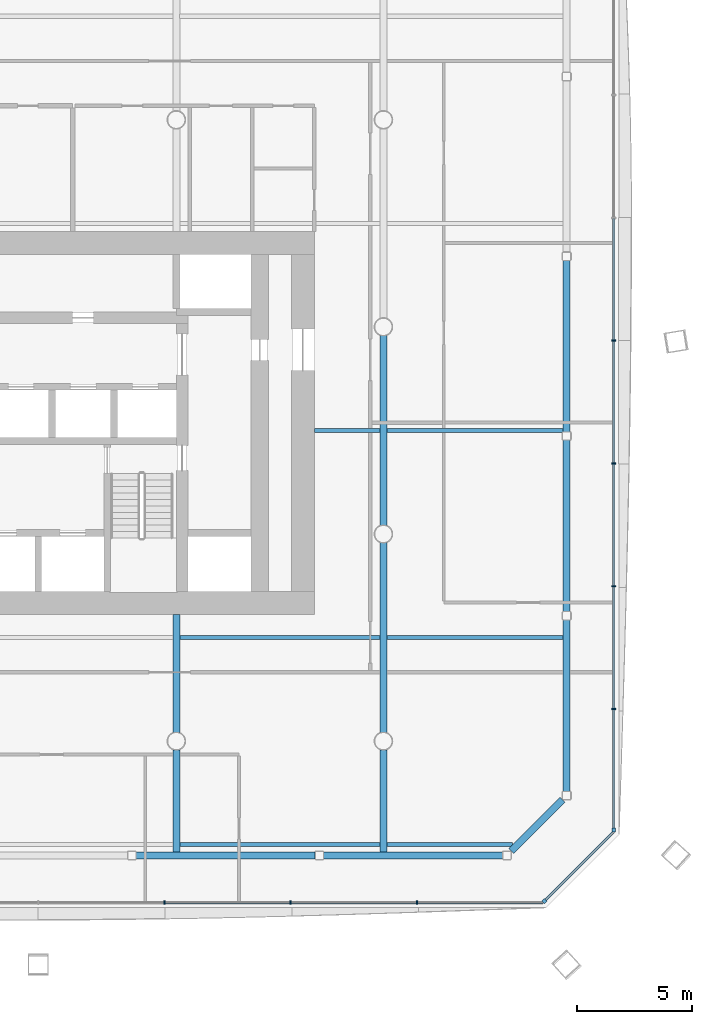
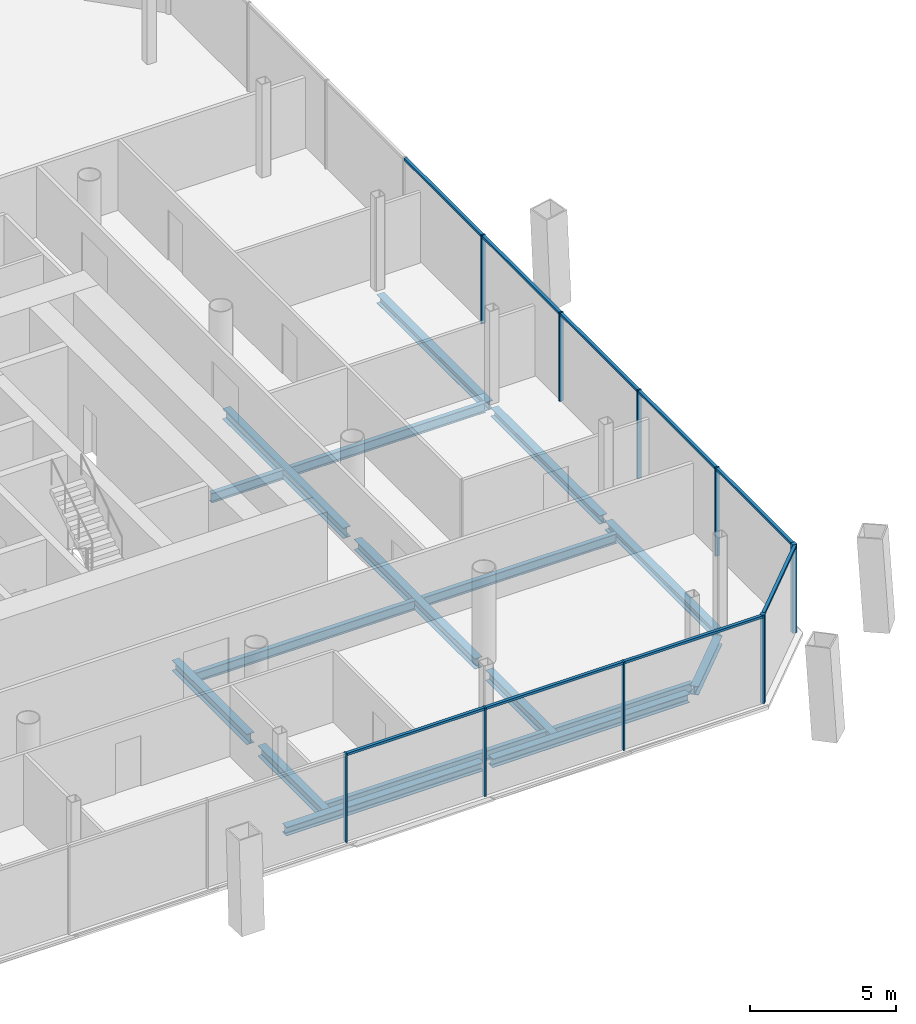
# One storey, part 5 of 19: 18 members, 17 beams, 3 elements without a shape of their own.
"""IFC4 building model written with IfcOpenShell, lengths in metres."""

from ifc_helpers import new_model, si_unit, direction, frame, origin, origin_2d, place, context, subcontext, project, spatial, rectangle, i_section, extrude, material, material_profile, profile_set, type_object, element, aggregate, save


model = new_model("IFC4")

# Units and contexts
model_context = context("Model", 3, precision=1e-05, world=origin(), true_north=direction((0.0, 1.0)))
body_context = subcontext(model_context, "Body", "Model", "MODEL_VIEW")
ifc_project = project(units=[si_unit("LENGTHUNIT", "METRE"), si_unit("AREAUNIT", "SQUARE_METRE"), si_unit("VOLUMEUNIT", "CUBIC_METRE"), si_unit("PLANEANGLEUNIT", "RADIAN"), si_unit("MASSUNIT", "GRAM", prefix="KILO")], contexts=[model_context])

# Site, building, storey
site_placement = place(None, origin())
site = spatial("IfcSite", under=ifc_project, at=site_placement, CompositionType="ELEMENT")
building_placement = place(site_placement, origin())
building = spatial("IfcBuilding", under=site, at=building_placement, Name="Tskaro Facet Tower", CompositionType="ELEMENT")
storey_placement = place(building_placement, frame((0.0, 0.0, 81.60009765625)))
storey = spatial("IfcBuildingStorey", under=building, at=storey_placement, Name="L19", CompositionType="ELEMENT", Elevation=81.60009765625)

# Curtain wall, member
ifc_material_1 = material(Name="Bronze anodised aluminium 6063-T6", Category="aluminium")
curtain_wall_type = type_object("IfcCurtainWallType", Name="Bronze office curtain wall (FW1)", PredefinedType="NOTDEFINED", material=ifc_material_1)
curtain_wall_1_placement = place(storey_placement, origin())
curtain_wall_1 = element("IfcCurtainWall", 1, at=curtain_wall_1_placement, inside=storey, type_object=curtain_wall_type, Name="FW1 south-east facet L19", PredefinedType="NOTDEFINED")
ifc_material_profile_1 = material_profile(ifc_material_1, rectangle(XDim=0.159912109375, YDim=0.159912109375, at=origin_2d()), Name="Corner post 160x160")
ifc_profile_set_1 = profile_set([ifc_material_profile_1], Name="Bronze anodised aluminium 6063-T6")
member_type_1 = type_object("IfcMemberType", Name="FW1 bronze corner post 160x160", PredefinedType="MULLION", material=ifc_profile_set_1)
member_1_placement = place(storey_placement, frame((24.99560546875, -24.954345703125, 0.0), z_axis=(0.0, 0.0, 1.0), x_axis=(0.707106781187, 0.707106781187, 0.0)))
member_1 = element("IfcMember", 2, at=member_1_placement, type_object=member_type_1, Name="FW1 south-east corner post", PredefinedType="MULLION", context=body_context, shape_type="SweptSolid", body=[
    extrude(rectangle(XDim=0.159912109375, YDim=0.159912109375, at=origin_2d()), origin(), (0.0, 0.0, 1.0), 3.699951171875),
])

curtain_wall_2_placement = place(storey_placement, origin())
curtain_wall_2 = element("IfcCurtainWall", 3, at=curtain_wall_2_placement, inside=storey, type_object=curtain_wall_type, Name="FW1 east facet L19", PredefinedType="NOTDEFINED")
member_2_placement = place(storey_placement, frame((28.010986328125, -21.85888671875, 0.0), z_axis=(0.0, 0.0, 1.0), x_axis=(0.0, 1.0, 0.0)))
member_2 = element("IfcMember", 4, at=member_2_placement, type_object=member_type_1, Name="FW1 east corner post", PredefinedType="MULLION", context=body_context, shape_type="SweptSolid", body=[
    extrude(rectangle(XDim=0.159912109375, YDim=0.159912109375, at=origin_2d()), origin(), (0.0, 0.0, 1.0), 3.699951171875),
])

# Curtain wall, members
curtain_wall_3_placement = place(storey_placement, origin())
curtain_wall_3 = element("IfcCurtainWall", 5, at=curtain_wall_3_placement, inside=storey, type_object=curtain_wall_type, Name="FW1 south facet L19", PredefinedType="NOTDEFINED")
ifc_material_profile_2 = material_profile(ifc_material_1, rectangle(XDim=0.06005859375, YDim=0.159912109375, at=origin_2d()), Name="Mullion 60x160")
ifc_profile_set_2 = profile_set([ifc_material_profile_2], Name="Bronze anodised aluminium 6063-T6")
member_type_2 = type_object("IfcMemberType", Name="FW1 bronze mullion 60x160", PredefinedType="MULLION", material=ifc_profile_set_2)
member_3_placement = place(storey_placement, frame((8.48486328125, -25.010986328125, 0.0), z_axis=(0.0, 0.0, 1.0), x_axis=(1.0, 0.0, 0.0)))
member_3 = element("IfcMember", 6, at=member_3_placement, type_object=member_type_2, Name="FW1 south mullion 5", PredefinedType="MULLION", context=body_context, shape_type="SweptSolid", body=[
    extrude(rectangle(XDim=0.06005859375, YDim=0.159912109375, at=origin_2d()), origin(), (0.0, 0.0, 1.0), 3.699951171875),
])
member_4_placement = place(storey_placement, frame((13.969482421875, -25.010986328125, 0.0), z_axis=(0.0, 0.0, 1.0), x_axis=(1.0, 0.0, 0.0)))
member_4 = element("IfcMember", 7, at=member_4_placement, type_object=member_type_2, Name="FW1 south mullion 6", PredefinedType="MULLION", context=body_context, shape_type="SweptSolid", body=[
    extrude(rectangle(XDim=0.06005859375, YDim=0.159912109375, at=origin_2d()), origin(), (0.0, 0.0, 1.0), 3.699951171875),
])
member_5_placement = place(storey_placement, frame((19.454345703125, -25.010986328125, 0.0), z_axis=(0.0, 0.0, 1.0), x_axis=(1.0, 0.0, 0.0)))
member_5 = element("IfcMember", 8, at=member_5_placement, type_object=member_type_2, Name="FW1 south mullion 7", PredefinedType="MULLION", context=body_context, shape_type="SweptSolid", body=[
    extrude(rectangle(XDim=0.06005859375, YDim=0.159912109375, at=origin_2d()), origin(), (0.0, 0.0, 1.0), 3.699951171875),
])

# Member
member_6_placement = place(storey_placement, frame((28.010986328125, -16.603515625, 0.0), z_axis=(0.0, 0.0, 1.0), x_axis=(0.0, 1.0, 0.0)))
member_6 = element("IfcMember", 9, at=member_6_placement, type_object=member_type_2, Name="FW1 east mullion 1", PredefinedType="MULLION", context=body_context, shape_type="SweptSolid", body=[
    extrude(rectangle(XDim=0.06005859375, YDim=0.159912109375, at=origin_2d()), origin(), (0.0, 0.0, 1.0), 3.699951171875),
])

member_7_placement = place(storey_placement, frame((28.010986328125, -11.268310546875, 0.0), z_axis=(0.0, 0.0, 1.0), x_axis=(0.0, 1.0, 0.0)))
member_7 = element("IfcMember", 10, at=member_7_placement, type_object=member_type_2, Name="FW1 east mullion 2", PredefinedType="MULLION", context=body_context, shape_type="SweptSolid", body=[
    extrude(rectangle(XDim=0.06005859375, YDim=0.159912109375, at=origin_2d()), origin(), (0.0, 0.0, 1.0), 3.699951171875),
])

member_8_placement = place(storey_placement, frame((28.010986328125, -5.932861328125, 0.0), z_axis=(0.0, 0.0, 1.0), x_axis=(0.0, 1.0, 0.0)))
member_8 = element("IfcMember", 11, at=member_8_placement, type_object=member_type_2, Name="FW1 east mullion 3", PredefinedType="MULLION", context=body_context, shape_type="SweptSolid", body=[
    extrude(rectangle(XDim=0.06005859375, YDim=0.159912109375, at=origin_2d()), origin(), (0.0, 0.0, 1.0), 3.699951171875),
])

member_9_placement = place(storey_placement, frame((28.010986328125, -0.597412109375, 0.0), z_axis=(0.0, 0.0, 1.0), x_axis=(0.0, 1.0, 0.0)))
member_9 = element("IfcMember", 12, at=member_9_placement, type_object=member_type_2, Name="FW1 east mullion 4", PredefinedType="MULLION", context=body_context, shape_type="SweptSolid", body=[
    extrude(rectangle(XDim=0.06005859375, YDim=0.159912109375, at=origin_2d()), origin(), (0.0, 0.0, 1.0), 3.699951171875),
])

ifc_material_profile_3 = material_profile(ifc_material_1, rectangle(XDim=0.1201171875, YDim=0.10009765625, at=origin_2d()), Name="Transom 120x100")
ifc_profile_set_3 = profile_set([ifc_material_profile_3], Name="Bronze anodised aluminium 6063-T6")
member_type_3 = type_object("IfcMemberType", Name="FW1 bronze transom 120x100", PredefinedType="USERDEFINED", material=ifc_profile_set_3)
member_10_placement = place(storey_placement, frame((8.5146484375, -25.010986328125, 3.64990234375), z_axis=(1.0, 0.0, 0.0), x_axis=(0.0, 1.0, 0.0)))
member_10 = element("IfcMember", 13, at=member_10_placement, type_object=member_type_3, Name="FW1 south transom 6.1", ObjectType="TRANSOM", PredefinedType="USERDEFINED", context=body_context, shape_type="SweptSolid", body=[
    extrude(rectangle(XDim=0.1201171875, YDim=0.10009765625, at=origin_2d()), origin(), (0.0, 0.0, 1.0), 5.4248046875),
])

member_11_placement = place(storey_placement, frame((13.99951171875, -25.010986328125, 3.64990234375), z_axis=(1.0, 0.0, 0.0), x_axis=(0.0, 1.0, 0.0)))
member_11 = element("IfcMember", 14, at=member_11_placement, type_object=member_type_3, Name="FW1 south transom 7.1", ObjectType="TRANSOM", PredefinedType="USERDEFINED", context=body_context, shape_type="SweptSolid", body=[
    extrude(rectangle(XDim=0.1201171875, YDim=0.10009765625, at=origin_2d()), origin(), (0.0, 0.0, 1.0), 5.4248046875),
])

member_12_placement = place(storey_placement, frame((19.484130859375, -25.010986328125, 3.64990234375), z_axis=(1.0, 0.0, 0.0), x_axis=(0.0, 1.0, 0.0)))
member_12 = element("IfcMember", 15, at=member_12_placement, type_object=member_type_3, Name="FW1 south transom 8.1", ObjectType="TRANSOM", PredefinedType="USERDEFINED", context=body_context, shape_type="SweptSolid", body=[
    extrude(rectangle(XDim=0.1201171875, YDim=0.10009765625, at=origin_2d()), origin(), (0.0, 0.0, 1.0), 5.454833984375),
])

aggregate(curtain_wall_3, [member_3, member_4, member_5, member_10, member_11, member_12])

member_13_placement = place(storey_placement, frame((25.05224609375, -24.89794921875, 3.64990234375), z_axis=(0.70707760831, 0.70713595286, 0.0), x_axis=(-0.70713595286, 0.70707760831, 0.0)))
member_13 = element("IfcMember", 16, at=member_13_placement, type_object=member_type_3, Name="FW1 south-east transom 1.1", ObjectType="TRANSOM", PredefinedType="USERDEFINED", context=body_context, shape_type="SweptSolid", body=[
    extrude(rectangle(XDim=0.1201171875, YDim=0.10009765625, at=origin_2d()), origin(), (0.0, 0.0, 1.0), 4.1845703125),
])

aggregate(curtain_wall_1, [member_1, member_13])

member_14_placement = place(storey_placement, frame((28.010986328125, -21.779052734375, 3.64990234375), z_axis=(0.0, 1.0, 0.0), x_axis=(-1.0, 0.0, 0.0)))
member_14 = element("IfcMember", 17, at=member_14_placement, type_object=member_type_3, Name="FW1 east transom 1.1", ObjectType="TRANSOM", PredefinedType="USERDEFINED", context=body_context, shape_type="SweptSolid", body=[
    extrude(rectangle(XDim=0.1201171875, YDim=0.10009765625, at=origin_2d()), origin(), (0.0, 0.0, 1.0), 5.1455078125),
])

member_15_placement = place(storey_placement, frame((28.010986328125, -16.57373046875, 3.64990234375), z_axis=(0.0, 1.0, 0.0), x_axis=(-1.0, 0.0, 0.0)))
member_15 = element("IfcMember", 18, at=member_15_placement, type_object=member_type_3, Name="FW1 east transom 2.1", ObjectType="TRANSOM", PredefinedType="USERDEFINED", context=body_context, shape_type="SweptSolid", body=[
    extrude(rectangle(XDim=0.1201171875, YDim=0.10009765625, at=origin_2d()), origin(), (0.0, 0.0, 1.0), 5.275390625),
])

member_16_placement = place(storey_placement, frame((28.010986328125, -11.23828125, 3.64990234375), z_axis=(0.0, 1.0, 0.0), x_axis=(-1.0, 0.0, 0.0)))
member_16 = element("IfcMember", 19, at=member_16_placement, type_object=member_type_3, Name="FW1 east transom 3.1", ObjectType="TRANSOM", PredefinedType="USERDEFINED", context=body_context, shape_type="SweptSolid", body=[
    extrude(rectangle(XDim=0.1201171875, YDim=0.10009765625, at=origin_2d()), origin(), (0.0, 0.0, 1.0), 5.275390625),
])

member_17_placement = place(storey_placement, frame((28.010986328125, -5.90283203125, 3.64990234375), z_axis=(0.0, 1.0, 0.0), x_axis=(-1.0, 0.0, 0.0)))
member_17 = element("IfcMember", 20, at=member_17_placement, type_object=member_type_3, Name="FW1 east transom 4.1", ObjectType="TRANSOM", PredefinedType="USERDEFINED", context=body_context, shape_type="SweptSolid", body=[
    extrude(rectangle(XDim=0.1201171875, YDim=0.10009765625, at=origin_2d()), origin(), (0.0, 0.0, 1.0), 5.275390625),
])

member_18_placement = place(storey_placement, frame((28.010986328125, -0.5673828125, 3.64990234375), z_axis=(0.0, 1.0, 0.0), x_axis=(-1.0, 0.0, 0.0)))
member_18 = element("IfcMember", 21, at=member_18_placement, type_object=member_type_3, Name="FW1 east transom 5.1", ObjectType="TRANSOM", PredefinedType="USERDEFINED", context=body_context, shape_type="SweptSolid", body=[
    extrude(rectangle(XDim=0.1201171875, YDim=0.10009765625, at=origin_2d()), origin(), (0.0, 0.0, 1.0), 5.275146484375),
])

aggregate(curtain_wall_2, [member_2, member_6, member_7, member_8, member_9, member_14, member_15, member_16, member_17, member_18])

# Beams
ifc_material_2 = material(Name="Steel S355J2", Category="steel")
ifc_material_profile_4 = material_profile(ifc_material_2, i_section(OverallWidth=0.300048828125, OverallDepth=0.360107421875, WebThickness=0.012451171875, FlangeThickness=0.0224609375, FilletRadius=0.027099609375, at=origin_2d()), Name="HE 360 B")
ifc_profile_set_4 = profile_set([ifc_material_profile_4], Name="Steel S355J2")
beam_type_1 = type_object("IfcBeamType", Name="HE 360 B ring beam", PredefinedType="BEAM", material=ifc_profile_set_4)
beam_1_placement = place(storey_placement, frame((7.2529296875, -22.965087890625, -0.320068359375), z_axis=(1.0, 0.0, 0.0), x_axis=(0.0, 1.0, 0.0)))
element("IfcBeam", 22, at=beam_1_placement, inside=storey, type_object=beam_type_1, Name="HE 360 B EB4-2", PredefinedType="BEAM", context=body_context, shape_type="SweptSolid", body=[
    extrude(i_section(OverallWidth=0.300048828125, OverallDepth=0.360107421875, WebThickness=0.012451171875, FlangeThickness=0.0224609375, FilletRadius=0.027099609375, at=origin_2d()), origin(), (0.0, 0.0, 1.0), 7.78515625),
])
beam_2_placement = place(storey_placement, frame((15.39794921875, -22.965087890625, -0.320068359375), z_axis=(1.0, 0.0, 0.0), x_axis=(0.0, 1.0, 0.0)))
element("IfcBeam", 23, at=beam_2_placement, inside=storey, type_object=beam_type_1, Name="HE 360 B EB5-2", PredefinedType="BEAM", context=body_context, shape_type="SweptSolid", body=[
    extrude(i_section(OverallWidth=0.300048828125, OverallDepth=0.360107421875, WebThickness=0.012451171875, FlangeThickness=0.0224609375, FilletRadius=0.027099609375, at=origin_2d()), origin(), (0.0, 0.0, 1.0), 7.7861328125),
])
beam_3_placement = place(storey_placement, frame((23.5498046875, -22.779052734375, -0.320068359375), z_axis=(0.707106781187, 0.707106781187, 0.0), x_axis=(-0.707106781187, 0.707106781187, 0.0)))
element("IfcBeam", 24, at=beam_3_placement, inside=storey, type_object=beam_type_1, Name="HE 360 B EB6-2", PredefinedType="BEAM", context=body_context, shape_type="SweptSolid", body=[
    extrude(i_section(OverallWidth=0.300048828125, OverallDepth=0.360107421875, WebThickness=0.012451171875, FlangeThickness=0.0224609375, FilletRadius=0.027099609375, at=origin_2d()), origin(), (0.0, 0.0, 1.0), 3.152587890625),
])
beam_4_placement = place(storey_placement, frame((25.965087890625, -20.18408203125, -0.320068359375), z_axis=(0.0, 1.0, 0.0), x_axis=(-1.0, 0.0, 0.0)))
element("IfcBeam", 25, at=beam_4_placement, inside=storey, type_object=beam_type_1, Name="HE 360 B EB7-2", PredefinedType="BEAM", context=body_context, shape_type="SweptSolid", body=[
    extrude(i_section(OverallWidth=0.300048828125, OverallDepth=0.360107421875, WebThickness=0.012451171875, FlangeThickness=0.0224609375, FilletRadius=0.027099609375, at=origin_2d()), origin(), (0.0, 0.0, 1.0), 7.451171875),
])
beam_5_placement = place(storey_placement, frame((25.965087890625, -12.373046875, -0.320068359375), z_axis=(0.0, 1.0, 0.0), x_axis=(-1.0, 0.0, 0.0)))
element("IfcBeam", 26, at=beam_5_placement, inside=storey, type_object=beam_type_1, Name="HE 360 B EB8-2", PredefinedType="BEAM", context=body_context, shape_type="SweptSolid", body=[
    extrude(i_section(OverallWidth=0.300048828125, OverallDepth=0.360107421875, WebThickness=0.012451171875, FlangeThickness=0.0224609375, FilletRadius=0.027099609375, at=origin_2d()), origin(), (0.0, 0.0, 1.0), 7.450927734375),
])
beam_6_placement = place(storey_placement, frame((25.965087890625, -4.56201171875, -0.320068359375), z_axis=(0.0, 1.0, 0.0), x_axis=(-1.0, 0.0, 0.0)))
element("IfcBeam", 27, at=beam_6_placement, inside=storey, type_object=beam_type_1, Name="HE 360 B EB9-2", PredefinedType="BEAM", context=body_context, shape_type="SweptSolid", body=[
    extrude(i_section(OverallWidth=0.300048828125, OverallDepth=0.360107421875, WebThickness=0.012451171875, FlangeThickness=0.0224609375, FilletRadius=0.027099609375, at=origin_2d()), origin(), (0.0, 0.0, 1.0), 7.449951171875),
])
ifc_material_profile_5 = material_profile(ifc_material_2, i_section(OverallWidth=0.300048828125, OverallDepth=0.43994140625, WebThickness=0.011474609375, FlangeThickness=0.02099609375, FilletRadius=0.027099609375, at=origin_2d()), Name="HE 450 A")
ifc_profile_set_5 = profile_set([ifc_material_profile_5], Name="Steel S355J2")
beam_type_2 = type_object("IfcBeamType", Name="HE 450 A girder", PredefinedType="BEAM", material=ifc_profile_set_5)
beam_7_placement = place(storey_placement, frame((9.0, -22.81494140625, -0.360107421875), z_axis=(0.0, 1.0, 0.0), x_axis=(-1.0, 0.0, 0.0)))
element("IfcBeam", 28, at=beam_7_placement, inside=storey, type_object=beam_type_2, Name="HE 450 A GB5-1-2", PredefinedType="BEAM", context=body_context, shape_type="SweptSolid", body=[
    extrude(i_section(OverallWidth=0.300048828125, OverallDepth=0.43994140625, WebThickness=0.011474609375, FlangeThickness=0.02099609375, FilletRadius=0.027099609375, at=origin_2d()), origin(), (0.0, 0.0, 1.0), 4.4384765625),
])
beam_8_placement = place(storey_placement, frame((9.0, -17.62353515625, -0.360107421875), z_axis=(0.0, 1.0, 0.0), x_axis=(-1.0, 0.0, 0.0)))
element("IfcBeam", 29, at=beam_8_placement, inside=storey, type_object=beam_type_2, Name="HE 450 A GB5-2-2", PredefinedType="BEAM", context=body_context, shape_type="SweptSolid", body=[
    extrude(i_section(OverallWidth=0.300048828125, OverallDepth=0.43994140625, WebThickness=0.011474609375, FlangeThickness=0.02099609375, FilletRadius=0.027099609375, at=origin_2d()), origin(), (0.0, 0.0, 1.0), 5.12353515625),
])
beam_9_placement = place(storey_placement, frame((18.0, -22.81494140625, -0.360107421875), z_axis=(0.0, 1.0, 0.0), x_axis=(-1.0, 0.0, 0.0)))
element("IfcBeam", 30, at=beam_9_placement, inside=storey, type_object=beam_type_2, Name="HE 450 A GB6-1-2", PredefinedType="BEAM", context=body_context, shape_type="SweptSolid", body=[
    extrude(i_section(OverallWidth=0.300048828125, OverallDepth=0.43994140625, WebThickness=0.011474609375, FlangeThickness=0.02099609375, FilletRadius=0.027099609375, at=origin_2d()), origin(), (0.0, 0.0, 1.0), 4.4384765625),
])
for number, where, z_axis, x_axis, name in (
    (31, (18.0, -17.62353515625, -0.360107421875), (0.0, 1.0, 0.0), (-1.0, 0.0, 0.0), "HE 450 A GB6-2-2"),
    (32, (18.0, -8.62353515625, -0.360107421875), (0.0, 1.0, 0.0), (-1.0, 0.0, 0.0), "HE 450 A GB6-3-2"),
):
    element("IfcBeam", number, at=place(storey_placement, frame(where, z_axis=z_axis, x_axis=x_axis)), inside=storey, type_object=beam_type_2, Name=name, PredefinedType="BEAM", context=body_context, shape_type="SweptSolid", body=[
        extrude(i_section(OverallWidth=0.300048828125, OverallDepth=0.43994140625, WebThickness=0.011474609375, FlangeThickness=0.02099609375, FilletRadius=0.027099609375, at=origin_2d()), origin(), (0.0, 0.0, 1.0), 8.2470703125),
    ])
ifc_material_profile_6 = material_profile(ifc_material_2, i_section(OverallWidth=0.179931640625, OverallDepth=0.39990234375, WebThickness=0.008544921875, FlangeThickness=0.013427734375, FilletRadius=0.02099609375, at=origin_2d()), Name="IPE 400")
ifc_profile_set_6 = profile_set([ifc_material_profile_6], Name="Steel S355J2")
beam_type_3 = type_object("IfcBeamType", Name="IPE 400 secondary beam", PredefinedType="BEAM", material=ifc_profile_set_6)
beam_10_placement = place(storey_placement, frame((9.14990234375, -22.5, -0.340087890625), z_axis=(1.0, 0.0, 0.0), x_axis=(0.0, 1.0, 0.0)))
element("IfcBeam", 33, at=beam_10_placement, inside=storey, type_object=beam_type_3, Name="IPE 400 SB1a-4-2", PredefinedType="BEAM", context=body_context, shape_type="SweptSolid", body=[
    extrude(i_section(OverallWidth=0.179931640625, OverallDepth=0.39990234375, WebThickness=0.008544921875, FlangeThickness=0.013427734375, FilletRadius=0.02099609375, at=origin_2d()), origin(), (0.0, 0.0, 1.0), 8.7001953125),
])
beam_11_placement = place(storey_placement, frame((18.14990234375, -22.5, -0.340087890625), z_axis=(1.0, 0.0, 0.0), x_axis=(0.0, 1.0, 0.0)))
element("IfcBeam", 34, at=beam_11_placement, inside=storey, type_object=beam_type_3, Name="IPE 400 SB1a-5-2", PredefinedType="BEAM", context=body_context, shape_type="SweptSolid", body=[
    extrude(i_section(OverallWidth=0.179931640625, OverallDepth=0.39990234375, WebThickness=0.008544921875, FlangeThickness=0.013427734375, FilletRadius=0.02099609375, at=origin_2d()), origin(), (0.0, 0.0, 1.0), 5.467041015625),
])
beam_12_placement = place(storey_placement, frame((9.14990234375, -13.5, -0.340087890625), z_axis=(1.0, 0.0, 0.0), x_axis=(0.0, 1.0, 0.0)))
element("IfcBeam", 35, at=beam_12_placement, inside=storey, type_object=beam_type_3, Name="IPE 400 SB2a-4-2", PredefinedType="BEAM", context=body_context, shape_type="SweptSolid", body=[
    extrude(i_section(OverallWidth=0.179931640625, OverallDepth=0.39990234375, WebThickness=0.008544921875, FlangeThickness=0.013427734375, FilletRadius=0.02099609375, at=origin_2d()), origin(), (0.0, 0.0, 1.0), 8.7001953125),
])
beam_13_placement = place(storey_placement, frame((18.14990234375, -13.5, -0.340087890625), z_axis=(1.0, 0.0, 0.0), x_axis=(0.0, 1.0, 0.0)))
element("IfcBeam", 36, at=beam_13_placement, inside=storey, type_object=beam_type_3, Name="IPE 400 SB2a-5-2", PredefinedType="BEAM", context=body_context, shape_type="SweptSolid", body=[
    extrude(i_section(OverallWidth=0.179931640625, OverallDepth=0.39990234375, WebThickness=0.008544921875, FlangeThickness=0.013427734375, FilletRadius=0.02099609375, at=origin_2d()), origin(), (0.0, 0.0, 1.0), 7.6650390625),
])
beam_14_placement = place(storey_placement, frame((15.0, -4.5, -0.340087890625), z_axis=(1.0, 0.0, 0.0), x_axis=(0.0, 1.0, 0.0)))
element("IfcBeam", 37, at=beam_14_placement, inside=storey, type_object=beam_type_3, Name="IPE 400 SB3a-2-2", PredefinedType="BEAM", context=body_context, shape_type="SweptSolid", body=[
    extrude(i_section(OverallWidth=0.179931640625, OverallDepth=0.39990234375, WebThickness=0.008544921875, FlangeThickness=0.013427734375, FilletRadius=0.02099609375, at=origin_2d()), origin(), (0.0, 0.0, 1.0), 2.85009765625),
])
beam_15_placement = place(storey_placement, frame((18.14990234375, -4.5, -0.340087890625), z_axis=(1.0, 0.0, 0.0), x_axis=(0.0, 1.0, 0.0)))
element("IfcBeam", 38, at=beam_15_placement, inside=storey, type_object=beam_type_3, Name="IPE 400 SB3a-3-2", PredefinedType="BEAM", context=body_context, shape_type="SweptSolid", body=[
    extrude(i_section(OverallWidth=0.179931640625, OverallDepth=0.39990234375, WebThickness=0.008544921875, FlangeThickness=0.013427734375, FilletRadius=0.02099609375, at=origin_2d()), origin(), (0.0, 0.0, 1.0), 7.6650390625),
])

save(model, "model.ifc")
